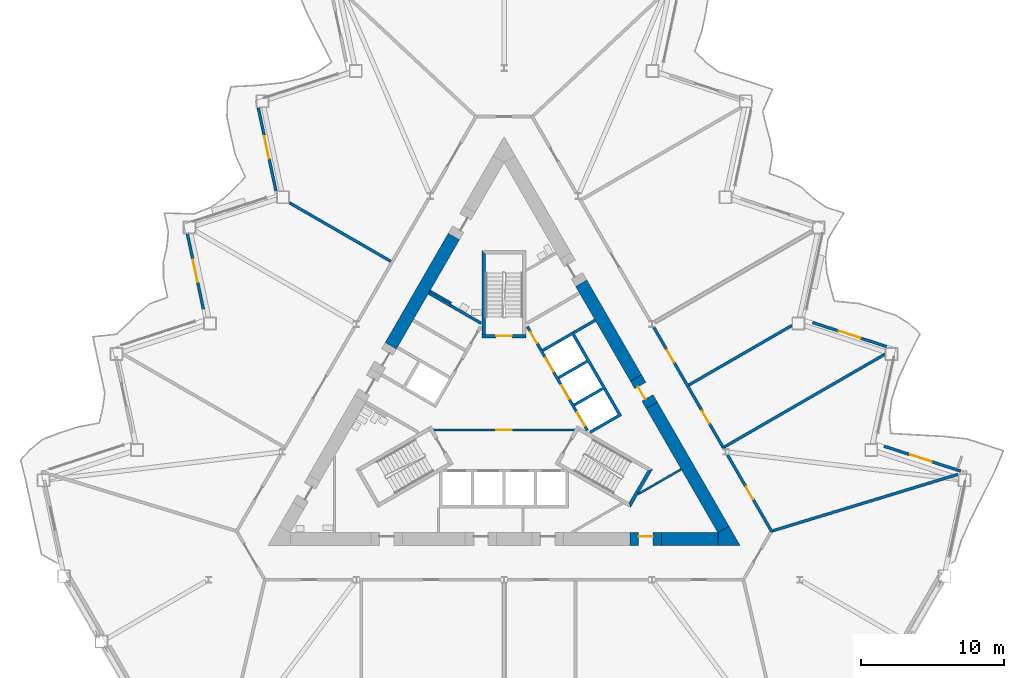
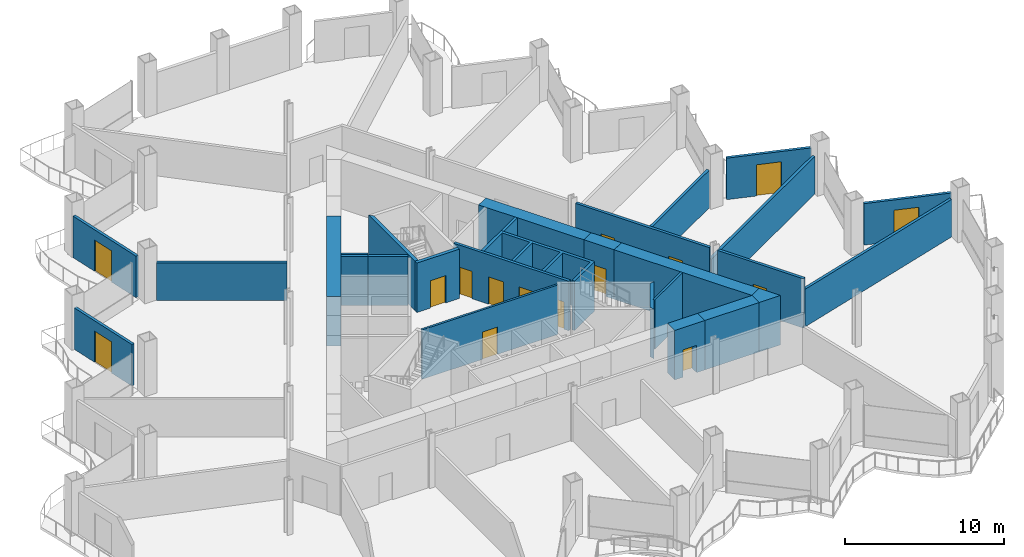
# One storey, part 12 of 21: 28 walls, 15 doors, 15 openings.
"""IFC4 building model written with IfcOpenShell, lengths in metres."""

import ifcopenshell
import ifcopenshell.guid

model = None  # the IFC model being written
_history = None  # IfcOwnerHistory: only IFC2X3 demands one
_inside = {}  # id of a spatial element -> (the spatial element, [elements in it])
_under = {}  # id of a project, library or spatial element -> (it, [spatial elements below it])
_declared = {}  # id of a project -> (the project, [libraries it declares])
_typed = {}  # id of a type object -> (the type object, [elements of that type])
_made_of = {}  # id of a material, layer set ... -> (it, [elements and type objects made of it])


def new_model(schema):
    """Start an empty IFC model of exactly this schema.

    Asked for "IFC4X3", IfcOpenShell would pick the latest addendum, in which some entities
    have other attributes; the version numbers below select the first issue.
    IFC2X3 requires an IfcOwnerHistory on every rooted entity: one is made here for all.
    """
    global model, _history
    if schema == "IFC4X3":
        model = ifcopenshell.file(schema_version=(4, 3, 0, 0))
    else:
        model = ifcopenshell.file(schema=schema)
    _inside.clear()
    _under.clear()
    _declared.clear()
    _typed.clear()
    _made_of.clear()
    _history = None
    if model.schema == "IFC2X3":
        org = make("IfcOrganization", Name="unknown")
        user = make(
            "IfcPersonAndOrganization",
            ThePerson=make("IfcPerson", FamilyName="unknown"),
            TheOrganization=org,
        )
        app = make(
            "IfcApplication",
            ApplicationDeveloper=org,
            Version="unknown",
            ApplicationFullName="unknown",
            ApplicationIdentifier="unknown",
        )
        _history = make(
            "IfcOwnerHistory",
            OwningUser=user,
            OwningApplication=app,
            ChangeAction="ADDED",
            CreationDate=0,
        )
    return model


def make(cls, **values):
    """One entity of the class cls with the attributes given. An attribute that is None is left unset."""
    return model.create_entity(
        cls, **{name: value for name, value in values.items() if value is not None}
    )


def rooted(cls, **values):
    """An entity with a GlobalId (a new one), such as an element, a storey or a relation."""
    return make(cls, GlobalId=ifcopenshell.guid.new(), OwnerHistory=_history, **values)


def si_unit(unit_type, name, prefix=None):
    """IfcSIUnit, for example si_unit("LENGTHUNIT", "METRE", prefix="MILLI")."""
    return make("IfcSIUnit", UnitType=unit_type, Prefix=prefix, Name=name)


def assignment(units):
    """IfcUnitAssignment: the units of a project."""
    return None if units is None else make("IfcUnitAssignment", Units=units)


def point(xyz):
    """IfcCartesianPoint."""
    return None if xyz is None else make("IfcCartesianPoint", Coordinates=xyz)


def direction(xyz):
    """IfcDirection."""
    return None if xyz is None else make("IfcDirection", DirectionRatios=xyz)


def frame(location, z_axis=None, x_axis=None):
    """IfcAxis2Placement3D, a coordinate frame: its origin and axes. An axis left out is left unset."""
    return make(
        "IfcAxis2Placement3D",
        Location=point(location),
        Axis=direction(z_axis),
        RefDirection=direction(x_axis),
    )


def frame_2d(location, x_axis=None):
    """IfcAxis2Placement2D, a coordinate frame in the plane: its origin and x axis."""
    return make(
        "IfcAxis2Placement2D", Location=point(location), RefDirection=direction(x_axis)
    )


def origin():
    """The frame at (0, 0, 0) with its axes left unset."""
    return frame((0.0, 0.0, 0.0))


def place(relative_to, where):
    """IfcLocalPlacement: puts the frame where relative to a parent placement (None: the world)."""
    return make(
        "IfcLocalPlacement", PlacementRelTo=relative_to, RelativePlacement=where
    )


def context(
    kind, dimensions, precision=None, world=None, true_north=None, identifier=None
):
    """IfcGeometricRepresentationContext, for example the 3D "Model" context."""
    return make(
        "IfcGeometricRepresentationContext",
        ContextIdentifier=identifier,
        ContextType=kind,
        CoordinateSpaceDimension=dimensions,
        Precision=precision,
        WorldCoordinateSystem=world,
        TrueNorth=true_north,
    )


def subcontext(parent, identifier, kind, view, scale=None):
    """IfcGeometricRepresentationSubContext, for example "Body" below "Model"."""
    return make(
        "IfcGeometricRepresentationSubContext",
        ContextIdentifier=identifier,
        ContextType=kind,
        ParentContext=parent,
        TargetScale=scale,
        TargetView=view,
    )


def project(units=None, contexts=None):
    """IfcProject with its units and contexts."""
    return rooted(
        "IfcProject",
        Name="project",
        RepresentationContexts=contexts,
        UnitsInContext=assignment(units),
    )


def spatial(cls, under=None, at=None, **own):
    """A site, building, storey or space (cls), placed at a placement, below another one or the project."""
    s = rooted(cls, ObjectPlacement=at, **own)
    if under is not None:
        _under.setdefault(under.id(), (under, []))[1].append(s)
    return s


def polyline(points):
    """IfcPolyline through the points."""
    return make("IfcPolyline", Points=[point(p) for p in points])


def profile(cls, at=None, kind="AREA", **sizes):
    """A parametric profile (cls). Its sizes go by their IFC names, for example OverallWidth=200.0."""
    return make(cls, ProfileType=kind, Position=at, **sizes)


def rectangle(**sizes):
    """IfcRectangleProfileDef."""
    return profile("IfcRectangleProfileDef", **sizes)


def outline(outer, holes=None, kind="AREA"):
    """IfcArbitraryClosedProfileDef: a profile drawn as a closed curve; with holes, ...WithVoids."""
    if holes is None:
        return make("IfcArbitraryClosedProfileDef", ProfileType=kind, OuterCurve=outer)
    return make(
        "IfcArbitraryProfileDefWithVoids",
        ProfileType=kind,
        OuterCurve=outer,
        InnerCurves=holes,
    )


def extrude(swept, where, along, depth):
    """IfcExtrudedAreaSolid: the profile swept, set in the frame where, extruded along a direction by depth."""
    return make(
        "IfcExtrudedAreaSolid",
        SweptArea=swept,
        Position=where,
        ExtrudedDirection=direction(along),
        Depth=depth,
    )


def shape(context_of_items, identifier, shape_type, items):
    """IfcShapeRepresentation: the items that make up one representation, for example the "Body"."""
    return make(
        "IfcShapeRepresentation",
        ContextOfItems=context_of_items,
        RepresentationIdentifier=identifier,
        RepresentationType=shape_type,
        Items=items,
    )


def material(Name=None, Category=None):
    """IfcMaterial."""
    return make("IfcMaterial", Name=Name, Category=Category)


def layer(
    of_material, thickness, ventilated=None, Name=None, Category=None, Priority=None
):
    """IfcMaterialLayer: one layer of a wall or slab, of a material (None: an air gap)."""
    return make(
        "IfcMaterialLayer",
        Material=of_material,
        LayerThickness=thickness,
        IsVentilated=ventilated,
        Name=Name,
        Category=Category,
        Priority=Priority,
    )


def layer_set(layers, Name=None):
    """IfcMaterialLayerSet."""
    return make("IfcMaterialLayerSet", MaterialLayers=layers, LayerSetName=Name)


def made_of(thing, what):
    """Note that an element or type object is made of a material, layer set ...; save() writes the relation."""
    if what is not None:
        _made_of.setdefault(what.id(), (what, []))[1].append(thing)
    return thing


def type_object(cls, material=None, **own):
    """A type object (cls), such as IfcWallType, which elements share."""
    return made_of(rooted(cls, **own), material)


def element(
    cls,
    number,
    at=None,
    inside=None,
    cuts=None,
    type_object=None,
    material=None,
    context=None,
    identifier="Body",
    shape_type=None,
    held_by="IfcProductDefinitionShape",
    body=None,
    shapes=None,
    **own,
):
    """One element of the class cls, such as IfcWall. Its Tag is "e" and its number.

    at: its placement. inside: the storey or other place that contains it. cuts: it is an
    opening in that element (IfcRelVoidsElement). A single representation is given by context,
    identifier, shape_type and body (its items); several are given by shapes. held_by: the class
    of the entity that holds the representations. save() writes the other relations.
    """
    e = rooted(cls, Tag="e%d" % number, ObjectPlacement=at, **own)
    if body is not None:
        shapes = [shape(context, identifier, shape_type, body)]
    if shapes is not None:
        e.Representation = make(held_by, Representations=shapes)
    if inside is not None:
        _inside.setdefault(inside.id(), (inside, []))[1].append(e)
    if cuts is not None:
        rooted(
            "IfcRelVoidsElement", RelatingBuildingElement=cuts, RelatedOpeningElement=e
        )
    if type_object is not None:
        _typed.setdefault(type_object.id(), (type_object, []))[1].append(e)
    return made_of(e, material)


def fill(opening, filler):
    """IfcRelFillsElement: the door or window that sits in an opening."""
    return rooted(
        "IfcRelFillsElement",
        RelatingOpeningElement=opening,
        RelatedBuildingElement=filler,
    )


def aggregate(whole, parts):
    """IfcRelAggregates: a whole, such as a stair, and the parts it consists of."""
    return rooted("IfcRelAggregates", RelatingObject=whole, RelatedObjects=parts)


def save(model, path):
    """Write the relations noted so far, then the file.

    IfcRelAggregates (storeys below a building ...), IfcRelContainedInSpatialStructure (elements
    in a storey), IfcRelDefinesByType, IfcRelAssociatesMaterial and IfcRelDeclares: one each for
    every whole, place, type object, material and project.
    """
    for whole, parts in _under.values():
        aggregate(whole, parts)
    for where, things in _inside.values():
        rooted(
            "IfcRelContainedInSpatialStructure",
            RelatedElements=things,
            RelatingStructure=where,
        )
    for kind, things in _typed.values():
        rooted("IfcRelDefinesByType", RelatedObjects=things, RelatingType=kind)
    for what, things in _made_of.values():
        rooted("IfcRelAssociatesMaterial", RelatedObjects=things, RelatingMaterial=what)
    for by, libraries in _declared.values():
        rooted("IfcRelDeclares", RelatingContext=by, RelatedDefinitions=libraries)
    model.write(path)


model = new_model("IFC4")

# Units and contexts
model_context = context("Model", 3, precision=1e-05, world=origin(), true_north=direction((0.0, 1.0)))
body_context = subcontext(model_context, "Body", "Model", "MODEL_VIEW")
ifc_project = project(units=[si_unit("LENGTHUNIT", "METRE"), si_unit("AREAUNIT", "SQUARE_METRE"), si_unit("VOLUMEUNIT", "CUBIC_METRE"), si_unit("PLANEANGLEUNIT", "RADIAN"), si_unit("MASSUNIT", "GRAM", prefix="KILO")], contexts=[model_context])

# Site, building, storey
site_placement = place(None, origin())
site = spatial("IfcSite", under=ifc_project, at=site_placement, CompositionType="ELEMENT")
building_placement = place(site_placement, origin())
building = spatial("IfcBuilding", under=site, at=building_placement, Name="Cormorant Prow Tower", CompositionType="ELEMENT")
storey_placement = place(building_placement, frame((0.0, 0.0, 108.0)))
storey = spatial("IfcBuildingStorey", under=building, at=storey_placement, Name="L22", CompositionType="ELEMENT", Elevation=108.0)

# Wall, opening, door
ifc_material_1 = material(Name="Gypsum board partition")
ifc_layer_1 = layer(ifc_material_1, 0.14990234375)
ifc_layer_set_1 = layer_set([ifc_layer_1], Name="Gypsum board partition")
wall_type_1 = type_object("IfcWallType", Name="Core partition 150", PredefinedType="PARTITIONING", material=ifc_layer_set_1)
wall_1_placement = place(storey_placement, frame((-4.941162109375, -1.449951171875, 0.0), z_axis=(0.0, 0.0, 1.0), x_axis=(1.0, 0.0, 0.0)))
wall_1 = element("IfcWall", 1, at=wall_1_placement, inside=storey, type_object=wall_type_1, Name="Firefighting lobby partition", PredefinedType="PARTITIONING", context=body_context, shape_type="SweptSolid", body=[
    extrude(rectangle(XDim=9.88232421875, YDim=0.14990234375, at=frame_2d((4.941162109375, 0.0))), origin(), (0.0, 0.0, 1.0), 3.800048828125),
])
opening_1_placement = place(wall_1_placement, frame((4.39111328125, 0.0, 0.0)))
opening_1 = element("IfcOpeningElement", 2, at=opening_1_placement, cuts=wall_1, Name="Opening L22-C11", PredefinedType="OPENING", context=body_context, shape_type="SweptSolid", body=[
    extrude(rectangle(XDim=1.10009765625, YDim=2.10009765625, at=frame_2d((0.550048828125, 1.050048828125))), frame((0.0, 0.0849609375, 0.0), z_axis=(0.0, -1.0, 0.0), x_axis=(1.0, 0.0, 0.0)), (0.0, 0.0, 1.0), 0.169921875),
])
ifc_material_2 = material(Name="Painted steel", Category="steel")
door_type_1 = type_object("IfcDoorType", Name="Firefighting lobby door 1100x2100", OperationType="NOTDEFINED", PredefinedType="DOOR", material=ifc_material_2)
door_1_placement = place(opening_1_placement, origin())
door_1 = element("IfcDoor", 3, at=door_1_placement, inside=storey, type_object=door_type_1, Name="Firefighting lobby door", OperationType="SINGLE_SWING_RIGHT", OverallHeight=2.10009765625, OverallWidth=1.10009765625, PredefinedType="DOOR", context=body_context, shape_type="SweptSolid", body=[
    extrude(rectangle(XDim=1.10009765625, YDim=2.10009765625, at=frame_2d((0.550048828125, 1.050048828125))), frame((0.0, 0.02490234375, 0.0), z_axis=(0.0, -1.0, 0.0), x_axis=(1.0, 0.0, 0.0)), (0.0, 0.0, 1.0), 0.050048828125),
])
fill(opening_1, door_1)

# Walls
wall_2_placement = place(storey_placement, frame((-3.693359375, 7.4150390625, 0.0), z_axis=(0.0, 0.0, 1.0), x_axis=(-0.866024871741, 0.500000921525, 0.0)))
element("IfcWall", 4, at=wall_2_placement, inside=storey, type_object=wall_type_1, Name="Service room partition", PredefinedType="PARTITIONING", context=body_context, shape_type="SweptSolid", body=[
    extrude(rectangle(XDim=1.72021484375, YDim=0.14990234375, at=frame_2d((0.860107421875, 0.0))), origin(), (0.0, 0.0, 1.0), 3.800048828125),
])
wall_3_placement = place(storey_placement, frame((12.385009765625, -4.198974609375, 0.0), z_axis=(0.0, 0.0, 1.0), x_axis=(-0.86604566135, -0.499964911226, 0.0)))
element("IfcWall", 5, at=wall_3_placement, inside=storey, type_object=wall_type_1, Name="Service room partition", PredefinedType="PARTITIONING", context=body_context, shape_type="SweptSolid", body=[
    extrude(rectangle(XDim=3.486572265625, YDim=0.14990234375, at=frame_2d((1.7431640625, 0.0))), origin(), (0.0, 0.0, 1.0), 3.800048828125),
])
ifc_material_3 = material(Name="Concrete 8000 psi", Category="concrete")
ifc_layer_2 = layer(ifc_material_3, 0.89990234375)
ifc_layer_set_2 = layer_set([ifc_layer_2], Name="Concrete 8000 psi")
wall_type_2 = type_object("IfcWallType", Name="Core shear wall 900", PredefinedType="SHEAR", material=ifc_layer_set_2)
wall_4_placement = place(storey_placement, frame((11.00390625, -9.076416015625, 0.0), z_axis=(0.0, 0.0, 1.0), x_axis=(1.0, 0.0, 0.0)))
element("IfcWall", 6, at=wall_4_placement, inside=storey, type_object=wall_type_2, Name="Core wall", PredefinedType="SHEAR", context=body_context, shape_type="SweptSolid", body=[
    extrude(rectangle(XDim=3.937255859375, YDim=0.89990234375, at=frame_2d((1.96875, 0.0))), origin(), (0.0, 0.0, 1.0), 3.800048828125),
])
wall_5_placement = place(storey_placement, frame((15.330810546875, -8.4013671875, 0.0), z_axis=(0.0, 0.0, 1.0), x_axis=(-0.499996094196, 0.86602765879, 0.0)))
element("IfcWall", 7, at=wall_5_placement, inside=storey, type_object=wall_type_2, Name="Core wall", PredefinedType="SHEAR", context=body_context, shape_type="SweptSolid", body=[
    extrude(rectangle(XDim=10.01416015625, YDim=0.89990234375, at=frame_2d((5.007080078125, 0.0))), origin(), (0.0, 0.0, 1.0), 3.800048828125),
])
wall_6_placement = place(storey_placement, frame((9.2236328125, 2.176513671875, 0.0), z_axis=(0.0, 0.0, 1.0), x_axis=(-0.499987468925, 0.866032638483, 0.0)))
element("IfcWall", 8, at=wall_6_placement, inside=storey, type_object=wall_type_2, Name="Core wall", PredefinedType="SHEAR", context=body_context, shape_type="SweptSolid", body=[
    extrude(rectangle(XDim=7.655517578125, YDim=0.89990234375, at=frame_2d((3.82763671875, 0.0))), origin(), (0.0, 0.0, 1.0), 3.800048828125),
])
wall_7_placement = place(storey_placement, frame((-3.512451171875, 12.06884765625, 0.0), z_axis=(0.0, 0.0, 1.0), x_axis=(-0.500002126466, -0.866024176065, 0.0)))
element("IfcWall", 9, at=wall_7_placement, inside=storey, type_object=wall_type_2, Name="Core wall", PredefinedType="SHEAR", context=body_context, shape_type="SweptSolid", body=[
    extrude(rectangle(XDim=8.81591796875, YDim=0.89990234375, at=frame_2d((4.407958984375, 0.0))), origin(), (0.0, 0.0, 1.0), 3.800048828125),
])
wall_8_placement = place(storey_placement, origin())
element("IfcWall", 10, at=wall_8_placement, inside=storey, type_object=wall_type_2, Name="Core wall corner", PredefinedType="SHEAR", context=body_context, shape_type="SweptSolid", body=[
    extrude(outline(polyline([(14.941162109375, -8.626220703125), (15.720703125, -8.17626953125), (16.5, -9.5263671875), (14.941162109375, -9.5263671875), (14.941162109375, -8.626220703125)])), origin(), (0.0, 0.0, 1.0), 3.800048828125),
])

# Wall, opening, door
wall_9_placement = place(storey_placement, frame((8.803955078125, -9.076416015625, 0.0), z_axis=(0.0, 0.0, 1.0), x_axis=(1.0, 0.0, 0.0)))
wall_9 = element("IfcWall", 11, at=wall_9_placement, inside=storey, type_object=wall_type_2, Name="Core wall door panel", PredefinedType="SHEAR", context=body_context, shape_type="SweptSolid", body=[
    extrude(rectangle(XDim=2.199951171875, YDim=0.89990234375, at=frame_2d((1.10009765625, 0.0))), origin(), (0.0, 0.0, 1.0), 3.800048828125),
])
opening_2_placement = place(wall_9_placement, frame((0.60009765625, 0.0, 0.0)))
opening_2 = element("IfcOpeningElement", 12, at=opening_2_placement, cuts=wall_9, Name="Opening L22-C16", PredefinedType="OPENING", context=body_context, shape_type="SweptSolid", body=[
    extrude(rectangle(XDim=1.0, YDim=2.10009765625, at=frame_2d((0.5, 1.050048828125))), frame((0.0, 0.4599609375, 0.0), z_axis=(0.0, -1.0, 0.0), x_axis=(1.0, 0.0, 0.0)), (0.0, 0.0, 1.0), 0.919921875),
])
ifc_material_4 = material(Name="Painted steel", Category="steel")
door_type_2 = type_object("IfcDoorType", Name="Service door 1000x2100", OperationType="NOTDEFINED", PredefinedType="DOOR", material=ifc_material_4)
door_2_placement = place(opening_2_placement, origin())
door_2 = element("IfcDoor", 13, at=door_2_placement, inside=storey, type_object=door_type_2, Name="Core door, Pantry store", OperationType="SINGLE_SWING_LEFT", OverallHeight=2.10009765625, OverallWidth=1.0, PredefinedType="DOOR", context=body_context, shape_type="SweptSolid", body=[
    extrude(rectangle(XDim=1.0, YDim=2.10009765625, at=frame_2d((0.5, 1.050048828125))), frame((0.0, 0.205078125, 0.0), z_axis=(0.0, -1.0, 0.0), x_axis=(1.0, 0.0, 0.0)), (0.0, 0.0, 1.0), 0.050048828125),
])
fill(opening_2, door_2)

wall_10_placement = place(storey_placement, frame((10.32373046875, 0.271240234375, 0.0), z_axis=(0.0, 0.0, 1.0), x_axis=(-0.499946605688, 0.86605622881, 0.0)))
wall_10 = element("IfcWall", 14, at=wall_10_placement, inside=storey, type_object=wall_type_2, Name="Core wall door panel", PredefinedType="SHEAR", context=body_context, shape_type="SweptSolid", body=[
    extrude(rectangle(XDim=2.199951171875, YDim=0.89990234375, at=frame_2d((1.10009765625, 0.0))), origin(), (0.0, 0.0, 1.0), 3.800048828125),
])
opening_3_placement = place(wall_10_placement, frame((0.60009765625, 0.0, 0.0)))
opening_3 = element("IfcOpeningElement", 15, at=opening_3_placement, cuts=wall_10, Name="Opening L22-C20", PredefinedType="OPENING", context=body_context, shape_type="SweptSolid", body=[
    extrude(rectangle(XDim=1.0, YDim=2.10009765625, at=frame_2d((0.5, 1.050048828125))), frame((0.0, 0.4599609375, 0.0), z_axis=(0.0, -1.0, 0.0), x_axis=(1.0, 0.0, 0.0)), (0.0, 0.0, 1.0), 0.919921875),
])
door_3_placement = place(opening_3_placement, origin())
door_3 = element("IfcDoor", 16, at=door_3_placement, inside=storey, type_object=door_type_2, Name="Core door, Pantry store", OperationType="SINGLE_SWING_LEFT", OverallHeight=2.10009765625, OverallWidth=1.0, PredefinedType="DOOR", context=body_context, shape_type="SweptSolid", body=[
    extrude(rectangle(XDim=1.0, YDim=2.10009765625, at=frame_2d((0.5, 1.050048828125))), frame((0.0, 0.205078125, 0.0), z_axis=(0.0, -1.0, 0.0), x_axis=(1.0, 0.0, 0.0)), (0.0, 0.0, 1.0), 0.050048828125),
])
fill(opening_3, door_3)

# Wall, openings, doors
ifc_material_5 = material(Name="Gypsum board corridor wall")
ifc_layer_3 = layer(ifc_material_5, 0.199951171875)
ifc_layer_set_3 = layer_set([ifc_layer_3], Name="Gypsum board corridor wall")
wall_type_3 = type_object("IfcWallType", Name="Corridor wall 200", PredefinedType="PARTITIONING", material=ifc_layer_set_3)
wall_11_placement = place(storey_placement, frame((10.459716796875, 5.735595703125, 0.0), z_axis=(0.0, 0.0, 1.0), x_axis=(0.500010522431, -0.866019328571, 0.0)))
wall_11 = element("IfcWall", 17, at=wall_11_placement, inside=storey, type_object=wall_type_3, Name="Corridor wall", PredefinedType="PARTITIONING", context=body_context, shape_type="SweptSolid", body=[
    extrude(rectangle(XDim=9.732666015625, YDim=0.199951171875, at=frame_2d((4.8662109375, 0.0))), origin(), (0.0, 0.0, 1.0), 3.800048828125),
])
opening_4_placement = place(wall_11_placement, frame((6.77587890625, 0.0, 0.0)))
opening_4 = element("IfcOpeningElement", 18, at=opening_4_placement, cuts=wall_11, Name="Opening L22-F07", PredefinedType="OPENING", context=body_context, shape_type="SweptSolid", body=[
    extrude(rectangle(XDim=1.0, YDim=2.10009765625, at=frame_2d((0.5, 1.050048828125))), frame((0.0, 0.10986328125, 0.0), z_axis=(0.0, -1.0, 0.0), x_axis=(1.0, 0.0, 0.0)), (0.0, 0.0, 1.0), 0.219970703125),
])
opening_5_placement = place(wall_11_placement, frame((1.8564453125, 0.0, 0.0)))
opening_5 = element("IfcOpeningElement", 19, at=opening_5_placement, cuts=wall_11, Name="Opening L22-F08", PredefinedType="OPENING", context=body_context, shape_type="SweptSolid", body=[
    extrude(rectangle(XDim=1.0, YDim=2.10009765625, at=frame_2d((0.5, 1.050048828125))), frame((0.0, 0.10986328125, 0.0), z_axis=(0.0, -1.0, 0.0), x_axis=(1.0, 0.0, 0.0)), (0.0, 0.0, 1.0), 0.219970703125),
])
ifc_material_6 = material(Name="Timber door leaf", Category="wood")
door_type_3 = type_object("IfcDoorType", Name="Office door 1000x2100", OperationType="NOTDEFINED", PredefinedType="DOOR", material=ifc_material_6)
door_4_placement = place(opening_4_placement, origin())
door_4 = element("IfcDoor", 20, at=door_4_placement, inside=storey, type_object=door_type_3, Name="Private office door", OperationType="SINGLE_SWING_RIGHT", OverallHeight=2.10009765625, OverallWidth=1.0, PredefinedType="DOOR", context=body_context, shape_type="SweptSolid", body=[
    extrude(rectangle(XDim=1.0, YDim=2.10009765625, at=frame_2d((0.5, 1.050048828125))), frame((0.0, 0.02490234375, 0.0), z_axis=(0.0, -1.0, 0.0), x_axis=(1.0, 0.0, 0.0)), (0.0, 0.0, 1.0), 0.050048828125),
])
fill(opening_4, door_4)
door_5_placement = place(opening_5_placement, origin())
door_5 = element("IfcDoor", 21, at=door_5_placement, inside=storey, type_object=door_type_3, Name="Private office door", OperationType="SINGLE_SWING_LEFT", OverallHeight=2.10009765625, OverallWidth=1.0, PredefinedType="DOOR", context=body_context, shape_type="SweptSolid", body=[
    extrude(rectangle(XDim=1.0, YDim=2.10009765625, at=frame_2d((0.5, 1.050048828125))), frame((0.0, 0.02490234375, 0.0), z_axis=(0.0, -1.0, 0.0), x_axis=(1.0, 0.0, 0.0)), (0.0, 0.0, 1.0), 0.050048828125),
])
fill(opening_5, door_5)

# Wall, opening, door
wall_12_placement = place(storey_placement, frame((15.6240234375, -3.208984375, 0.0), z_axis=(0.0, 0.0, 1.0), x_axis=(0.499997920671, -0.866026604282, 0.0)))
wall_12 = element("IfcWall", 22, at=wall_12_placement, inside=storey, type_object=wall_type_3, Name="Corridor wall", PredefinedType="PARTITIONING", context=body_context, shape_type="SweptSolid", body=[
    extrude(rectangle(XDim=6.23974609375, YDim=0.199951171875, at=frame_2d((3.119873046875, 0.0))), origin(), (0.0, 0.0, 1.0), 3.800048828125),
])
opening_6_placement = place(wall_12_placement, frame((2.569580078125, 0.0, 0.0)))
opening_6 = element("IfcOpeningElement", 23, at=opening_6_placement, cuts=wall_12, Name="Opening L22-F06", PredefinedType="OPENING", context=body_context, shape_type="SweptSolid", body=[
    extrude(rectangle(XDim=1.0, YDim=2.10009765625, at=frame_2d((0.5, 1.050048828125))), frame((0.0, 0.10986328125, 0.0), z_axis=(0.0, -1.0, 0.0), x_axis=(1.0, 0.0, 0.0)), (0.0, 0.0, 1.0), 0.219970703125),
])
door_6_placement = place(opening_6_placement, origin())
door_6 = element("IfcDoor", 24, at=door_6_placement, inside=storey, type_object=door_type_3, Name="Co-working room door", OperationType="SINGLE_SWING_RIGHT", OverallHeight=2.10009765625, OverallWidth=1.0, PredefinedType="DOOR", context=body_context, shape_type="SweptSolid", body=[
    extrude(rectangle(XDim=1.0, YDim=2.10009765625, at=frame_2d((0.5, 1.050048828125))), frame((0.0, 0.02490234375, 0.0), z_axis=(0.0, -1.0, 0.0), x_axis=(1.0, 0.0, 0.0)), (0.0, 0.0, 1.0), 0.050048828125),
])
fill(opening_6, door_6)

# Walls
ifc_material_7 = material(Name="Gypsum board demising wall")
ifc_layer_4 = layer(ifc_material_7, 0.199951171875)
ifc_layer_set_4 = layer_set([ifc_layer_4], Name="Gypsum board demising wall")
wall_type_4 = type_object("IfcWallType", Name="Demising wall 200", PredefinedType="PARTITIONING", material=ifc_layer_set_4)
wall_13_placement = place(storey_placement, frame((18.78955078125, -8.4970703125, 0.0), z_axis=(0.0, 0.0, 1.0), x_axis=(0.956574643239, 0.291487481569, 0.0)))
element("IfcWall", 25, at=wall_13_placement, inside=storey, type_object=wall_type_4, Name="Demising wall", PredefinedType="PARTITIONING", context=body_context, shape_type="SweptSolid", body=[
    extrude(rectangle(XDim=13.5341796875, YDim=0.199951171875, at=frame_2d((6.76708984375, 0.0))), origin(), (0.0, 0.0, 1.0), 2.88525390625),
])
wall_14_placement = place(storey_placement, frame((15.321044921875, -2.684326171875, 0.0), z_axis=(0.0, 0.0, 1.0), x_axis=(0.866029068465, 0.499993652534, 0.0)))
element("IfcWall", 26, at=wall_14_placement, inside=storey, type_object=wall_type_4, Name="Demising wall", PredefinedType="PARTITIONING", context=body_context, shape_type="SweptSolid", body=[
    extrude(rectangle(XDim=13.065673828125, YDim=0.199951171875, at=frame_2d((6.53271484375, 0.0))), origin(), (0.0, 0.0, 1.0), 2.88525390625),
])
wall_15_placement = place(storey_placement, frame((12.911376953125, 1.689453125, 0.0), z_axis=(0.0, 0.0, 1.0), x_axis=(0.866032975699, 0.499986884831, 0.0)))
element("IfcWall", 27, at=wall_15_placement, inside=storey, type_object=wall_type_4, Name="Demising wall", PredefinedType="PARTITIONING", context=body_context, shape_type="SweptSolid", body=[
    extrude(rectangle(XDim=8.311767578125, YDim=0.199951171875, at=frame_2d((4.15576171875, 0.0))), origin(), (0.0, 0.0, 1.0), 2.88525390625),
])
wall_16_placement = place(storey_placement, frame((-15.009521484375, 14.430908203125, 0.0), z_axis=(0.0, 0.0, 1.0), x_axis=(0.866019738461, -0.5000098125, 0.0)))
element("IfcWall", 28, at=wall_16_placement, inside=storey, type_object=wall_type_4, Name="Demising wall", PredefinedType="PARTITIONING", context=body_context, shape_type="SweptSolid", body=[
    extrude(rectangle(XDim=8.187744140625, YDim=0.199951171875, at=frame_2d((4.09375, 0.0))), origin(), (0.0, 0.0, 1.0), 2.88525390625),
])

# Wall, openings, doors
ifc_material_8 = material(Name="Concrete 5000 psi", Category="concrete")
ifc_layer_5 = layer(ifc_material_8, 0.199951171875)
ifc_layer_set_5 = layer_set([ifc_layer_5], Name="Concrete 5000 psi")
wall_type_5 = type_object("IfcWallType", Name="Lift lobby wall 200", PredefinedType="SOLIDWALL", material=ifc_layer_set_5)
wall_17_placement = place(storey_placement, frame((5.817138671875, -1.4755859375, 0.0), z_axis=(0.0, 0.0, 1.0), x_axis=(-0.500002616675, 0.866023893041, 0.0)))
wall_17 = element("IfcWall", 29, at=wall_17_placement, inside=storey, type_object=wall_type_5, Name="Lift lobby wall, ENE block", PredefinedType="SOLIDWALL", context=body_context, shape_type="SweptSolid", body=[
    extrude(rectangle(XDim=8.373046875, YDim=0.199951171875, at=frame_2d((4.1865234375, 0.0))), origin(), (0.0, 0.0, 1.0), 3.800048828125),
])
opening_7_placement = place(wall_17_placement, frame((0.336669921875, 0.0, 0.0)))
opening_7 = element("IfcOpeningElement", 30, at=opening_7_placement, cuts=wall_17, Name="Opening L22-C05", PredefinedType="OPENING", context=body_context, shape_type="SweptSolid", body=[
    extrude(rectangle(XDim=1.10009765625, YDim=2.10009765625, at=frame_2d((0.550048828125, 1.050048828125))), frame((0.0, 0.10986328125, 0.0), z_axis=(0.0, -1.0, 0.0), x_axis=(1.0, 0.0, 0.0)), (0.0, 0.0, 1.0), 0.219970703125),
])
opening_8_placement = place(wall_17_placement, frame((2.53662109375, 0.0, 0.0)))
opening_8 = element("IfcOpeningElement", 31, at=opening_8_placement, cuts=wall_17, Name="Opening L22-C06", PredefinedType="OPENING", context=body_context, shape_type="SweptSolid", body=[
    extrude(rectangle(XDim=1.10009765625, YDim=2.10009765625, at=frame_2d((0.550048828125, 1.050048828125))), frame((0.0, 0.10986328125, 0.0), z_axis=(0.0, -1.0, 0.0), x_axis=(1.0, 0.0, 0.0)), (0.0, 0.0, 1.0), 0.219970703125),
])
opening_9_placement = place(wall_17_placement, frame((4.736572265625, 0.0, 0.0)))
opening_9 = element("IfcOpeningElement", 32, at=opening_9_placement, cuts=wall_17, Name="Opening L22-C07", PredefinedType="OPENING", context=body_context, shape_type="SweptSolid", body=[
    extrude(rectangle(XDim=1.10009765625, YDim=2.10009765625, at=frame_2d((0.550048828125, 1.050048828125))), frame((0.0, 0.10986328125, 0.0), z_axis=(0.0, -1.0, 0.0), x_axis=(1.0, 0.0, 0.0)), (0.0, 0.0, 1.0), 0.219970703125),
])
opening_10_placement = place(wall_17_placement, frame((7.03662109375, 0.0, 0.0)))
opening_10 = element("IfcOpeningElement", 33, at=opening_10_placement, cuts=wall_17, Name="Opening L22-C08", PredefinedType="OPENING", context=body_context, shape_type="SweptSolid", body=[
    extrude(rectangle(XDim=0.89990234375, YDim=2.10009765625, at=frame_2d((0.449951171875, 1.050048828125))), frame((0.0, 0.10986328125, 0.0), z_axis=(0.0, -1.0, 0.0), x_axis=(1.0, 0.0, 0.0)), (0.0, 0.0, 1.0), 0.219970703125),
])
ifc_material_9 = material(Name="Painted steel", Category="steel")
door_type_4 = type_object("IfcDoorType", Name="Lift landing door 1100x2100", OperationType="SLIDING_TO_LEFT", PredefinedType="DOOR", material=ifc_material_9)
door_7_placement = place(opening_7_placement, origin())
door_7 = element("IfcDoor", 34, at=door_7_placement, inside=storey, type_object=door_type_4, Name="Landing door LR2", OperationType="SLIDING_TO_LEFT", OverallHeight=2.10009765625, OverallWidth=1.10009765625, PredefinedType="DOOR", context=body_context, shape_type="SweptSolid", body=[
    extrude(rectangle(XDim=1.10009765625, YDim=2.10009765625, at=frame_2d((0.550048828125, 1.050048828125))), frame((0.0, 0.02490234375, 0.0), z_axis=(0.0, -1.0, 0.0), x_axis=(1.0, 0.0, 0.0)), (0.0, 0.0, 1.0), 0.050048828125),
])
fill(opening_7, door_7)
door_8_placement = place(opening_8_placement, origin())
door_8 = element("IfcDoor", 35, at=door_8_placement, inside=storey, type_object=door_type_4, Name="Landing door LR3", OperationType="SLIDING_TO_LEFT", OverallHeight=2.10009765625, OverallWidth=1.10009765625, PredefinedType="DOOR", context=body_context, shape_type="SweptSolid", body=[
    extrude(rectangle(XDim=1.10009765625, YDim=2.10009765625, at=frame_2d((0.550048828125, 1.050048828125))), frame((0.0, 0.02490234375, 0.0), z_axis=(0.0, -1.0, 0.0), x_axis=(1.0, 0.0, 0.0)), (0.0, 0.0, 1.0), 0.050048828125),
])
fill(opening_8, door_8)
door_9_placement = place(opening_9_placement, origin())
door_9 = element("IfcDoor", 36, at=door_9_placement, inside=storey, type_object=door_type_4, Name="Landing door LR4", OperationType="SLIDING_TO_LEFT", OverallHeight=2.10009765625, OverallWidth=1.10009765625, PredefinedType="DOOR", context=body_context, shape_type="SweptSolid", body=[
    extrude(rectangle(XDim=1.10009765625, YDim=2.10009765625, at=frame_2d((0.550048828125, 1.050048828125))), frame((0.0, 0.02490234375, 0.0), z_axis=(0.0, -1.0, 0.0), x_axis=(1.0, 0.0, 0.0)), (0.0, 0.0, 1.0), 0.050048828125),
])
fill(opening_9, door_9)
ifc_material_10 = material(Name="Painted steel", Category="steel")
door_type_5 = type_object("IfcDoorType", Name="Service door 900x2100", OperationType="NOTDEFINED", PredefinedType="DOOR", material=ifc_material_10)
door_10_placement = place(opening_10_placement, origin())
door_10 = element("IfcDoor", 37, at=door_10_placement, inside=storey, type_object=door_type_5, Name="Service door, Telecom room", OperationType="SINGLE_SWING_RIGHT", OverallHeight=2.10009765625, OverallWidth=0.89990234375, PredefinedType="DOOR", context=body_context, shape_type="SweptSolid", body=[
    extrude(rectangle(XDim=0.89990234375, YDim=2.10009765625, at=frame_2d((0.449951171875, 1.050048828125))), frame((0.0, 0.02490234375, 0.0), z_axis=(0.0, -1.0, 0.0), x_axis=(1.0, 0.0, 0.0)), (0.0, 0.0, 1.0), 0.050048828125),
])
fill(opening_10, door_10)

# Walls
ifc_material_11 = material(Name="Concrete 8000 psi", Category="concrete")
ifc_layer_6 = layer(ifc_material_11, 0.199951171875)
ifc_layer_set_6 = layer_set([ifc_layer_6], Name="Concrete 8000 psi")
wall_type_6 = type_object("IfcWallType", Name="Lift shaft wall 200", PredefinedType="SHEAR", material=ifc_layer_set_6)
wall_18_placement = place(storey_placement, origin())
element("IfcWall", 38, at=wall_18_placement, inside=storey, type_object=wall_type_6, Name="Lift shaft walls, ENE block", PredefinedType="SHEAR", context=body_context, shape_type="SweptSolid", body=[
    extrude(outline(polyline([(2.660400390625, 4.19189453125), (4.830810546875, 5.44482421875), (8.230712890625, -0.444091796875), (6.060546875, -1.697021484375), (5.96044921875, -1.52392578125), (7.952392578125, -0.373779296875), (6.952392578125, 1.358154296875), (4.96044921875, 0.2080078125), (4.860595703125, 0.38134765625), (6.852294921875, 1.53125), (5.852294921875, 3.263427734375), (3.860595703125, 2.11328125), (3.760498046875, 2.28662109375), (5.75244140625, 3.4365234375), (4.75244140625, 5.168701171875), (2.760498046875, 4.018798828125), (2.660400390625, 4.19189453125)])), origin(), (0.0, 0.0, 1.0), 3.800048828125),
])
wall_19_placement = place(storey_placement, frame((4.880859375, 5.3583984375, 0.0), z_axis=(0.0, 0.0, 1.0), x_axis=(0.866024871741, 0.500000921525, 0.0)))
element("IfcWall", 39, at=wall_19_placement, inside=storey, type_object=wall_type_6, Name="Store side wall", PredefinedType="SHEAR", context=body_context, shape_type="SweptSolid", body=[
    extrude(rectangle(XDim=1.72021484375, YDim=0.199951171875, at=frame_2d((0.860107421875, 0.0))), origin(), (0.0, 0.0, 1.0), 3.800048828125),
])
wall_20_placement = place(storey_placement, origin())
element("IfcWall", 40, at=wall_20_placement, inside=storey, type_object=wall_type_6, Name="Lift shaft walls, WNW block", PredefinedType="SHEAR", context=body_context, shape_type="SweptSolid", body=[
    extrude(outline(polyline([(-3.730712890625, 7.35009765625), (-1.560546875, 6.09716796875), (-1.660400390625, 5.923828125), (-3.830810546875, 7.177001953125), (-3.730712890625, 7.35009765625)])), origin(), (0.0, 0.0, 1.0), 3.800048828125),
])
wall_21_placement = place(storey_placement, frame((-3.78076171875, 7.263427734375, 0.0), z_axis=(0.0, 0.0, 1.0), x_axis=(-0.865963414263, 0.500107353632, 0.0)))
element("IfcWall", 41, at=wall_21_placement, inside=storey, type_object=wall_type_6, Name="Store side wall", PredefinedType="SHEAR", context=body_context, shape_type="SweptSolid", body=[
    extrude(rectangle(XDim=1.72021484375, YDim=0.199951171875, at=frame_2d((0.860107421875, 0.0))), origin(), (0.0, 0.0, 1.0), 3.800048828125),
])
ifc_material_12 = material(Name="Concrete 8000 psi", Category="concrete")
ifc_layer_7 = layer(ifc_material_12, 0.25)
ifc_layer_set_7 = layer_set([ifc_layer_7], Name="Concrete 8000 psi")
wall_type_7 = type_object("IfcWallType", Name="Stair wall 250", PredefinedType="SHEAR", material=ifc_layer_set_7)
wall_22_placement = place(storey_placement, origin())
element("IfcWall", 42, at=wall_22_placement, inside=storey, type_object=wall_type_7, Name="Stair ST2 enclosure wall (end)", PredefinedType="SHEAR", context=body_context, shape_type="SweptSolid", body=[
    extrude(outline(polyline([(8.82958984375, -6.880615234375), (10.37353515625, -4.206298828125), (10.031982421875, -4.2978515625), (8.738037109375, -6.5390625), (8.82958984375, -6.880615234375)])), origin(), (0.0, 0.0, 1.0), 3.800048828125),
])
wall_23_placement = place(storey_placement, origin())
element("IfcWall", 43, at=wall_23_placement, inside=storey, type_object=wall_type_7, Name="Stair ST3 enclosure wall (flank)", PredefinedType="SHEAR", context=body_context, shape_type="SweptSolid", body=[
    extrude(outline(polyline([(-1.2939453125, 10.8369140625), (-1.5439453125, 11.0869140625), (-1.5439453125, 5.23681640625), (-1.2939453125, 5.23681640625), (-1.2939453125, 10.8369140625)])), origin(), (0.0, 0.0, 1.0), 3.800048828125),
])

# Wall, opening, door
wall_24_placement = place(storey_placement, frame((1.5439453125, 5.11181640625, 0.0), z_axis=(0.0, 0.0, 1.0), x_axis=(-1.0, 0.0, 0.0)))
wall_24 = element("IfcWall", 44, at=wall_24_placement, inside=storey, type_object=wall_type_7, Name="Stair ST3 door wall", PredefinedType="SHEAR", context=body_context, shape_type="SweptSolid", body=[
    extrude(rectangle(XDim=3.087890625, YDim=0.25, at=frame_2d((1.5439453125, 0.0))), origin(), (0.0, 0.0, 1.0), 3.800048828125),
])
opening_11_placement = place(wall_24_placement, frame((0.993896484375, 0.0, 0.0)))
opening_11 = element("IfcOpeningElement", 45, at=opening_11_placement, cuts=wall_24, Name="Opening L22-C14", PredefinedType="OPENING", context=body_context, shape_type="SweptSolid", body=[
    extrude(rectangle(XDim=1.10009765625, YDim=2.10009765625, at=frame_2d((0.550048828125, 1.050048828125))), frame((0.0, 0.135009765625, 0.0), z_axis=(0.0, -1.0, 0.0), x_axis=(1.0, 0.0, 0.0)), (0.0, 0.0, 1.0), 0.27001953125),
])
ifc_material_13 = material(Name="Painted steel", Category="steel")
door_type_6 = type_object("IfcDoorType", Name="Stair door 1100x2100", OperationType="NOTDEFINED", PredefinedType="DOOR", material=ifc_material_13)
door_11_placement = place(opening_11_placement, origin())
door_11 = element("IfcDoor", 46, at=door_11_placement, inside=storey, type_object=door_type_6, Name="Stair ST3 door", OperationType="SINGLE_SWING_LEFT", OverallHeight=2.10009765625, OverallWidth=1.10009765625, PredefinedType="DOOR", context=body_context, shape_type="SweptSolid", body=[
    extrude(rectangle(XDim=1.10009765625, YDim=2.10009765625, at=frame_2d((0.550048828125, 1.050048828125))), frame((0.0, 0.02490234375, 0.0), z_axis=(0.0, -1.0, 0.0), x_axis=(1.0, 0.0, 0.0)), (0.0, 0.0, 1.0), 0.050048828125),
])
fill(opening_11, door_11)

ifc_material_14 = material(Name="Terracotta", Category="masonry")
ifc_layer_8 = layer(ifc_material_14, 0.199951171875)
ifc_layer_set_8 = layer_set([ifc_layer_8], Name="Terracotta")
wall_type_8 = type_object("IfcWallType", Name="Terracotta jamb wall 200", PredefinedType="SOLIDWALL", material=ifc_layer_set_8)
wall_25_placement = place(storey_placement, frame((31.91162109375, -4.325439453125, 0.0), z_axis=(0.0, 0.0, 1.0), x_axis=(-0.951049681611, 0.30903802858, 0.0)))
wall_25 = element("IfcWall", 47, at=wall_25_placement, inside=storey, type_object=wall_type_8, Name="Terracotta jamb wall ENE01", PredefinedType="SOLIDWALL", context=body_context, shape_type="SweptSolid", body=[
    extrude(rectangle(XDim=5.63037109375, YDim=0.199951171875, at=frame_2d((2.815185546875, 0.0))), origin(), (0.0, 0.0, 1.0), 3.18896484375),
])
opening_12_placement = place(wall_25_placement, frame((2.107177734375, 0.0, 0.0)))
opening_12 = element("IfcOpeningElement", 48, at=opening_12_placement, cuts=wall_25, Name="Opening ED22.06", PredefinedType="OPENING", context=body_context, shape_type="SweptSolid", body=[
    extrude(rectangle(XDim=1.60009765625, YDim=2.39990234375, at=frame_2d((0.800048828125, 1.199951171875))), frame((0.0, 0.10986328125, 0.0), z_axis=(0.0, -1.0, 0.0), x_axis=(1.0, 0.0, 0.0)), (0.0, 0.0, 1.0), 0.219970703125),
])
ifc_material_15 = material(Name="Aluminium 6063-T6", Category="aluminium")
door_type_7 = type_object("IfcDoorType", Name="Balcony door 1600x2400", OperationType="DOUBLE_DOOR_SINGLE_SWING", PredefinedType="DOOR", material=ifc_material_15)
door_12_placement = place(opening_12_placement, origin())
door_12 = element("IfcDoor", 49, at=door_12_placement, inside=storey, type_object=door_type_7, Name="Balcony door ENE01 ED22.06", OperationType="DOUBLE_DOOR_SINGLE_SWING", OverallHeight=2.39990234375, OverallWidth=1.60009765625, PredefinedType="DOOR", context=body_context, shape_type="SweptSolid", body=[
    extrude(rectangle(XDim=1.60009765625, YDim=2.39990234375, at=frame_2d((0.800048828125, 1.199951171875))), frame((0.0, 0.02490234375, 0.0), z_axis=(0.0, -1.0, 0.0), x_axis=(1.0, 0.0, 0.0)), (0.0, 0.0, 1.0), 0.050048828125),
])
fill(opening_12, door_12)

wall_26_placement = place(storey_placement, frame((26.743896484375, 4.379150390625, 0.0), z_axis=(0.0, 0.0, 1.0), x_axis=(-0.951063054266, 0.308996871845, 0.0)))
wall_26 = element("IfcWall", 50, at=wall_26_placement, inside=storey, type_object=wall_type_8, Name="Terracotta jamb wall ENE03", PredefinedType="SOLIDWALL", context=body_context, shape_type="SweptSolid", body=[
    extrude(rectangle(XDim=5.4462890625, YDim=0.199951171875, at=frame_2d((2.72314453125, 0.0))), origin(), (0.0, 0.0, 1.0), 3.18896484375),
])
opening_13_placement = place(wall_26_placement, frame((1.923095703125, 0.0, 0.0)))
opening_13 = element("IfcOpeningElement", 51, at=opening_13_placement, cuts=wall_26, Name="Opening ED22.07", PredefinedType="OPENING", context=body_context, shape_type="SweptSolid", body=[
    extrude(rectangle(XDim=1.60009765625, YDim=2.39990234375, at=frame_2d((0.800048828125, 1.199951171875))), frame((0.0, 0.10986328125, 0.0), z_axis=(0.0, -1.0, 0.0), x_axis=(1.0, 0.0, 0.0)), (0.0, 0.0, 1.0), 0.219970703125),
])
door_13_placement = place(opening_13_placement, origin())
door_13 = element("IfcDoor", 52, at=door_13_placement, inside=storey, type_object=door_type_7, Name="Balcony door ENE03 ED22.07", OperationType="DOUBLE_DOOR_SINGLE_SWING", OverallHeight=2.39990234375, OverallWidth=1.60009765625, PredefinedType="DOOR", context=body_context, shape_type="SweptSolid", body=[
    extrude(rectangle(XDim=1.60009765625, YDim=2.39990234375, at=frame_2d((0.800048828125, 1.199951171875))), frame((0.0, 0.02490234375, 0.0), z_axis=(0.0, -1.0, 0.0), x_axis=(1.0, 0.0, 0.0)), (0.0, 0.0, 1.0), 0.050048828125),
])
fill(opening_13, door_13)

wall_27_placement = place(storey_placement, frame((-17.1845703125, 21.06640625, 0.0), z_axis=(0.0, 0.0, 1.0), x_axis=(0.207930102794, -0.978143686966, 0.0)))
wall_27 = element("IfcWall", 53, at=wall_27_placement, inside=storey, type_object=wall_type_8, Name="Terracotta jamb wall WNW03", PredefinedType="SOLIDWALL", context=body_context, shape_type="SweptSolid", body=[
    extrude(rectangle(XDim=5.93408203125, YDim=0.199951171875, at=frame_2d((2.967041015625, 0.0))), origin(), (0.0, 0.0, 1.0), 3.18896484375),
])
opening_14_placement = place(wall_27_placement, frame((2.02001953125, 0.0, 0.0)))
opening_14 = element("IfcOpeningElement", 54, at=opening_14_placement, cuts=wall_27, Name="Opening ED22.12", PredefinedType="OPENING", context=body_context, shape_type="SweptSolid", body=[
    extrude(rectangle(XDim=1.60009765625, YDim=2.39990234375, at=frame_2d((0.800048828125, 1.199951171875))), frame((0.0, 0.10986328125, 0.0), z_axis=(0.0, -1.0, 0.0), x_axis=(1.0, 0.0, 0.0)), (0.0, 0.0, 1.0), 0.219970703125),
])
door_14_placement = place(opening_14_placement, origin())
door_14 = element("IfcDoor", 55, at=door_14_placement, inside=storey, type_object=door_type_7, Name="Balcony door WNW03 ED22.12", OperationType="DOUBLE_DOOR_SINGLE_SWING", OverallHeight=2.39990234375, OverallWidth=1.60009765625, PredefinedType="DOOR", context=body_context, shape_type="SweptSolid", body=[
    extrude(rectangle(XDim=1.60009765625, YDim=2.39990234375, at=frame_2d((0.800048828125, 1.199951171875))), frame((0.0, 0.02490234375, 0.0), z_axis=(0.0, -1.0, 0.0), x_axis=(1.0, 0.0, 0.0)), (0.0, 0.0, 1.0), 0.050048828125),
])
fill(opening_14, door_14)

wall_28_placement = place(storey_placement, frame((-22.156982421875, 12.323974609375, 0.0), z_axis=(0.0, 0.0, 1.0), x_axis=(0.207903253291, -0.978149394148, 0.0)))
wall_28 = element("IfcWall", 56, at=wall_28_placement, inside=storey, type_object=wall_type_8, Name="Terracotta jamb wall WNW05", PredefinedType="SOLIDWALL", context=body_context, shape_type="SweptSolid", body=[
    extrude(rectangle(XDim=5.4462890625, YDim=0.199951171875, at=frame_2d((2.72314453125, 0.0))), origin(), (0.0, 0.0, 1.0), 3.18896484375),
])
opening_15_placement = place(wall_28_placement, frame((1.923095703125, 0.0, 0.0)))
opening_15 = element("IfcOpeningElement", 57, at=opening_15_placement, cuts=wall_28, Name="Opening ED22.13", PredefinedType="OPENING", context=body_context, shape_type="SweptSolid", body=[
    extrude(rectangle(XDim=1.60009765625, YDim=2.39990234375, at=frame_2d((0.800048828125, 1.199951171875))), frame((0.0, 0.10986328125, 0.0), z_axis=(0.0, -1.0, 0.0), x_axis=(1.0, 0.0, 0.0)), (0.0, 0.0, 1.0), 0.219970703125),
])
door_15_placement = place(opening_15_placement, origin())
door_15 = element("IfcDoor", 58, at=door_15_placement, inside=storey, type_object=door_type_7, Name="Balcony door WNW05 ED22.13", OperationType="DOUBLE_DOOR_SINGLE_SWING", OverallHeight=2.39990234375, OverallWidth=1.60009765625, PredefinedType="DOOR", context=body_context, shape_type="SweptSolid", body=[
    extrude(rectangle(XDim=1.60009765625, YDim=2.39990234375, at=frame_2d((0.800048828125, 1.199951171875))), frame((0.0, 0.02490234375, 0.0), z_axis=(0.0, -1.0, 0.0), x_axis=(1.0, 0.0, 0.0)), (0.0, 0.0, 1.0), 0.050048828125),
])
fill(opening_15, door_15)

save(model, "model.ifc")
